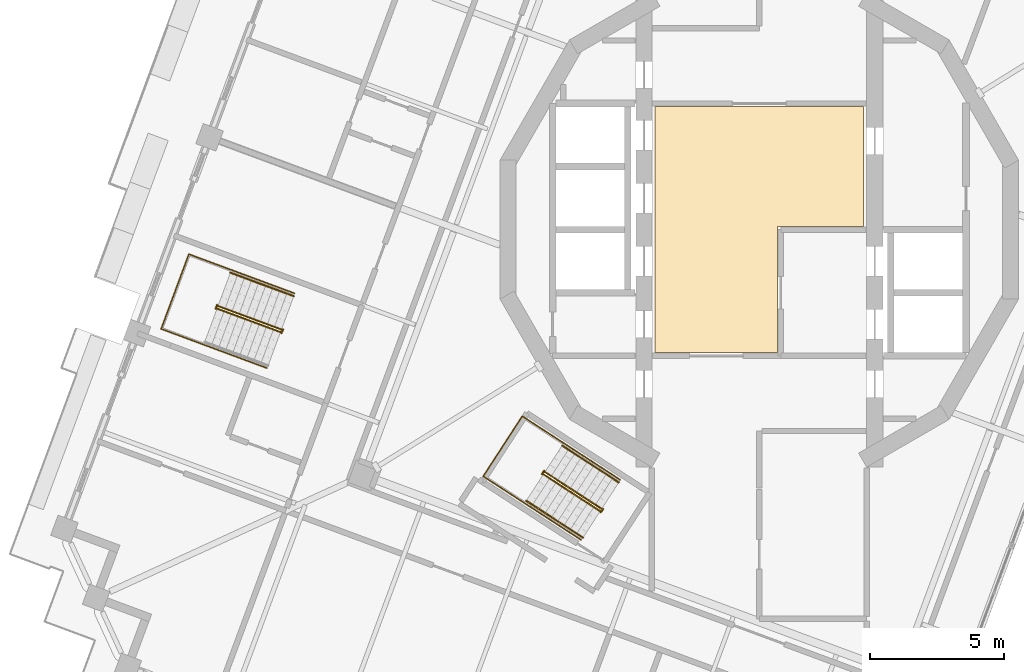
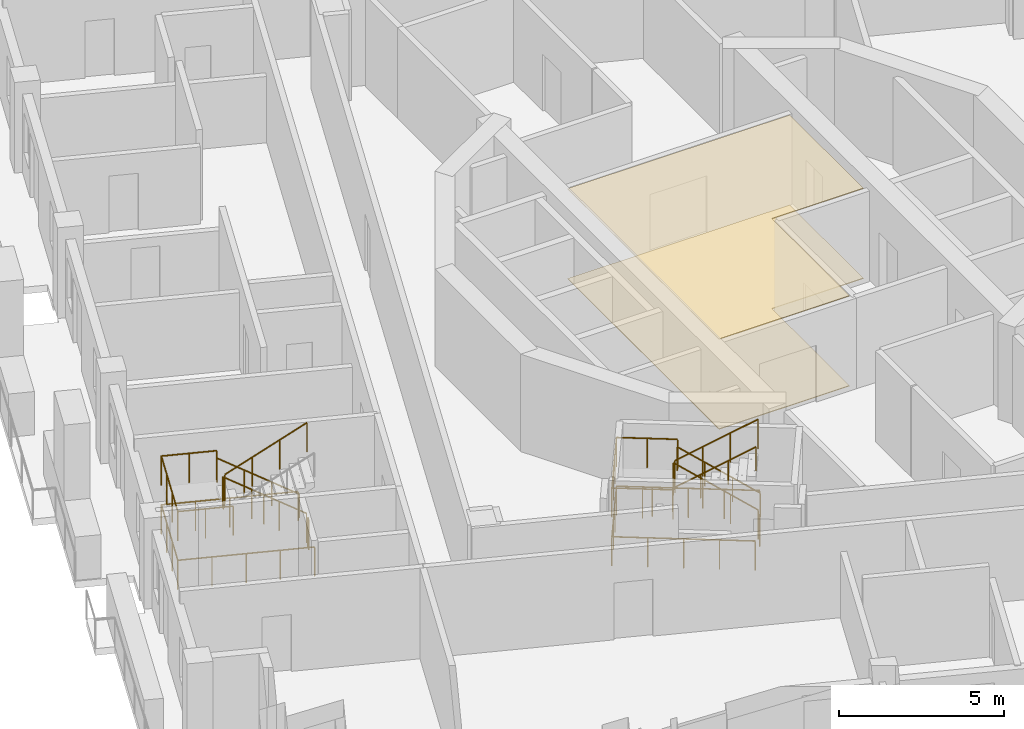
# One storey, part 14 of 19: 13 railings, 2 coverings.
"""IFC4 building model written with IfcOpenShell, lengths in metres."""

from ifc_helpers import new_model, si_unit, direction, frame, origin, origin_2d, place, context, subcontext, project, spatial, polyline, circle, outline, extrude, material, layer, layer_set, type_object, element, save


model = new_model("IFC4")

# Units and contexts
model_context = context("Model", 3, precision=1e-05, world=origin(), true_north=direction((0.0, 1.0)))
body_context = subcontext(model_context, "Body", "Model", "MODEL_VIEW")
ifc_project = project(units=[si_unit("LENGTHUNIT", "METRE"), si_unit("AREAUNIT", "SQUARE_METRE"), si_unit("VOLUMEUNIT", "CUBIC_METRE"), si_unit("PLANEANGLEUNIT", "RADIAN"), si_unit("MASSUNIT", "GRAM", prefix="KILO")], contexts=[model_context])

# Site, building, storey
site_placement = place(None, origin())
site = spatial("IfcSite", under=ifc_project, at=site_placement, CompositionType="ELEMENT")
building_placement = place(site_placement, origin())
building = spatial("IfcBuilding", under=site, at=building_placement, Name="Cantera Rosa Tower", CompositionType="ELEMENT")
storey_placement = place(building_placement, frame((0.0, 0.0, 334.89990234375)))
storey = spatial("IfcBuildingStorey", under=building, at=storey_placement, Name="L75", CompositionType="ELEMENT", Elevation=334.89990234375)

# Railings
ifc_material_1 = material(Name="Steel S355J2 (EN 10025-2)", Category="steel")
railing_type_1 = type_object("IfcRailingType", Name="STAIR GUARD 1100", PredefinedType="GUARDRAIL", material=ifc_material_1)
railing_1_placement = place(storey_placement, frame((-17.802490234375, -3.721923828125, 0.18017578125)))
element("IfcRailing", 1, at=railing_1_placement, inside=storey, type_object=railing_type_1, Name="L75 ST-63 stair guard 1", PredefinedType="GUARDRAIL", context=body_context, shape_type="SweptSolid", body=[
    extrude(circle(Radius=0.02392578125, at=origin_2d()), frame((0.0, 0.0, 1.076171875), z_axis=(-0.78878233546, 0.292319685639, 0.540713998944), x_axis=(-0.347500508527, -0.937679794265, 0.0)), (0.0, 0.0, 1.0), 2.995849609375),
    extrude(circle(Radius=0.02392578125, at=origin_2d()), frame((-2.363037109375, 0.875732421875, 2.69580078125), z_axis=(-0.671593765389, 0.740919573429, 0.0), x_axis=(-0.740919573429, -0.671593765389, 0.0)), (0.0, 0.0, 1.0), 0.056396484375),
    extrude(circle(Radius=0.02392578125, at=origin_2d()), frame((-2.40087890625, 0.91748046875, 2.69580078125), z_axis=(-0.348268249601, -0.937394914814, 0.0), x_axis=(0.937394914814, -0.348268249601, 0.0)), (0.0, 0.0, 1.0), 0.14990234375),
    extrude(circle(Radius=0.02099609375, at=origin_2d()), origin(), (0.0, 0.0, 1.0), 1.052001953125),
    extrude(circle(Radius=0.02099609375, at=origin_2d()), frame((-0.78759765625, 0.2919921875, 0.5400390625)), (0.0, 0.0, 1.0), 1.052001953125),
    extrude(circle(Radius=0.02099609375, at=origin_2d()), frame((-1.575439453125, 0.583740234375, 1.079833984375)), (0.0, 0.0, 1.0), 1.052001953125),
    extrude(circle(Radius=0.02099609375, at=origin_2d()), frame((-2.363037109375, 0.875732421875, 1.619873046875)), (0.0, 0.0, 1.0), 1.052001953125),
    extrude(circle(Radius=0.02099609375, at=origin_2d()), frame((-2.40087890625, 0.91748046875, 1.619873046875)), (0.0, 0.0, 1.0), 1.052001953125),
    extrude(circle(Radius=0.02099609375, at=origin_2d()), frame((-2.453125, 0.77685546875, 1.619873046875)), (0.0, 0.0, 1.0), 1.052001953125),
])
railing_2_placement = place(storey_placement, frame((-20.19970703125, -2.93798828125, 1.97998046875)))
element("IfcRailing", 2, at=railing_2_placement, inside=storey, type_object=railing_type_1, Name="L75 ST-63 stair guard 2", PredefinedType="GUARDRAIL", context=body_context, shape_type="SweptSolid", body=[
    extrude(circle(Radius=0.02392578125, at=origin_2d()), frame((0.0, 0.0, 1.076171875), z_axis=(0.788747577403, -0.292306804437, 0.540771662738), x_axis=(0.347500508527, 0.937679794265, 0.0)), (0.0, 0.0, 1.0), 2.995849609375),
    extrude(circle(Radius=0.02099609375, at=origin_2d()), origin(), (0.0, 0.0, 1.0), 1.052001953125),
    extrude(circle(Radius=0.02099609375, at=origin_2d()), frame((0.78759765625, -0.2919921875, 0.5400390625)), (0.0, 0.0, 1.0), 1.052001953125),
    extrude(circle(Radius=0.02099609375, at=origin_2d()), frame((1.575439453125, -0.583740234375, 1.080078125)), (0.0, 0.0, 1.0), 1.052001953125),
    extrude(circle(Radius=0.02099609375, at=origin_2d()), frame((2.363037109375, -0.875732421875, 1.6201171875)), (0.0, 0.0, 1.0), 1.052001953125),
])
railing_3_placement = place(storey_placement, frame((-17.74658203125, -3.71484375, 0.0)))
element("IfcRailing", 3, at=railing_3_placement, inside=storey, type_object=railing_type_1, Name="L75 ST-63 stair guard 3", PredefinedType="GUARDRAIL", context=body_context, shape_type="SweptSolid", body=[
    extrude(circle(Radius=0.02392578125, at=origin_2d()), frame((0.0, 0.0, 1.076171875), z_axis=(-0.348268249601, -0.937394914814, 0.0), x_axis=(0.937394914814, -0.348268249601, 0.0)), (0.0, 0.0, 1.0), 0.14990234375),
    extrude(circle(Radius=0.02099609375, at=origin_2d()), origin(), (0.0, 0.0, 1.0), 1.052001953125),
    extrude(circle(Radius=0.02099609375, at=origin_2d()), frame((-0.05224609375, -0.140625, 0.0)), (0.0, 0.0, 1.0), 1.052001953125),
])
railing_4_placement = place(storey_placement, frame((-17.31494140625, -2.37109375, 0.0)))
element("IfcRailing", 4, at=railing_4_placement, inside=storey, type_object=railing_type_1, Name="L75 ST-63 stair guard 4", PredefinedType="GUARDRAIL", context=body_context, shape_type="SweptSolid", body=[
    extrude(circle(Radius=0.02392578125, at=origin_2d()), frame((0.0, 0.0, 1.076171875), z_axis=(-0.937682096729, 0.3474942956, 0.0), x_axis=(-0.3474942956, -0.937682096729, 0.0)), (0.0, 0.0, 1.0), 4.197998046875),
    extrude(circle(Radius=0.02392578125, at=origin_2d()), frame((-3.936279296875, 1.458740234375, 1.076171875), z_axis=(-0.347472311651, -0.937690243436, 0.0), x_axis=(0.937690243436, -0.347472311651, 0.0)), (0.0, 0.0, 1.0), 2.969970703125),
    extrude(circle(Radius=0.02392578125, at=origin_2d()), frame((-4.96826171875, -1.326171875, 1.076171875), z_axis=(0.937682096729, -0.3474942956, 0.0), x_axis=(0.3474942956, 0.937682096729, 0.0)), (0.0, 0.0, 1.0), 4.197998046875),
    extrude(circle(Radius=0.02099609375, at=origin_2d()), origin(), (0.0, 0.0, 1.0), 1.052001953125),
    extrude(circle(Radius=0.02099609375, at=origin_2d()), frame((-0.984130859375, 0.36474609375, 0.0)), (0.0, 0.0, 1.0), 1.052001953125),
    extrude(circle(Radius=0.02099609375, at=origin_2d()), frame((-1.96826171875, 0.7294921875, 0.0)), (0.0, 0.0, 1.0), 1.052001953125),
    extrude(circle(Radius=0.02099609375, at=origin_2d()), frame((-2.9521484375, 1.093994140625, 0.0)), (0.0, 0.0, 1.0), 1.052001953125),
    extrude(circle(Radius=0.02099609375, at=origin_2d()), frame((-3.936279296875, 1.458740234375, 0.0)), (0.0, 0.0, 1.0), 1.052001953125),
    extrude(circle(Radius=0.02099609375, at=origin_2d()), frame((-4.2802734375, 0.530517578125, 0.0)), (0.0, 0.0, 1.0), 1.052001953125),
    extrude(circle(Radius=0.02099609375, at=origin_2d()), frame((-4.624267578125, -0.39794921875, 0.0)), (0.0, 0.0, 1.0), 1.052001953125),
    extrude(circle(Radius=0.02099609375, at=origin_2d()), frame((-4.96826171875, -1.326171875, 0.0)), (0.0, 0.0, 1.0), 1.052001953125),
    extrude(circle(Radius=0.02099609375, at=origin_2d()), frame((-3.984130859375, -1.69091796875, 0.0)), (0.0, 0.0, 1.0), 1.052001953125),
    extrude(circle(Radius=0.02099609375, at=origin_2d()), frame((-3.0, -2.0556640625, 0.0)), (0.0, 0.0, 1.0), 1.052001953125),
    extrude(circle(Radius=0.02099609375, at=origin_2d()), frame((-2.01611328125, -2.420166015625, 0.0)), (0.0, 0.0, 1.0), 1.052001953125),
    extrude(circle(Radius=0.02099609375, at=origin_2d()), frame((-1.031982421875, -2.784912109375, 0.0)), (0.0, 0.0, 1.0), 1.052001953125),
])
railing_5_placement = place(storey_placement, frame((-19.6552734375, -1.50390625, 1.800048828125)))
element("IfcRailing", 5, at=railing_5_placement, inside=storey, type_object=railing_type_1, Name="L75 ST-63 stair guard 5", PredefinedType="GUARDRAIL", context=body_context, shape_type="SweptSolid", body=[
    extrude(circle(Radius=0.02392578125, at=origin_2d()), frame((0.0, 0.0, 1.076171875), z_axis=(-0.937660486946, 0.347552602091, 0.0), x_axis=(-0.347552602091, -0.937660486946, 0.0)), (0.0, 0.0, 1.0), 1.7021484375),
    extrude(circle(Radius=0.02392578125, at=origin_2d()), frame((-1.595947265625, 0.591552734375, 1.076171875), z_axis=(-0.347472311651, -0.937690243436, 0.0), x_axis=(0.937690243436, -0.347472311651, 0.0)), (0.0, 0.0, 1.0), 2.969970703125),
    extrude(circle(Radius=0.02392578125, at=origin_2d()), frame((-2.6279296875, -2.193359375, 1.076171875), z_axis=(0.937660486946, -0.347552602091, 0.0), x_axis=(0.347552602091, 0.937660486946, 0.0)), (0.0, 0.0, 1.0), 1.7021484375),
    extrude(circle(Radius=0.02099609375, at=origin_2d()), origin(), (0.0, 0.0, 1.0), 1.052001953125),
    extrude(circle(Radius=0.02099609375, at=origin_2d()), frame((-0.7978515625, 0.2958984375, 0.0)), (0.0, 0.0, 1.0), 1.052001953125),
    extrude(circle(Radius=0.02099609375, at=origin_2d()), frame((-1.595947265625, 0.591552734375, 0.0)), (0.0, 0.0, 1.0), 1.052001953125),
    extrude(circle(Radius=0.02099609375, at=origin_2d()), frame((-1.93994140625, -0.336669921875, 0.0)), (0.0, 0.0, 1.0), 1.052001953125),
    extrude(circle(Radius=0.02099609375, at=origin_2d()), frame((-2.283935546875, -1.26513671875, 0.0)), (0.0, 0.0, 1.0), 1.052001953125),
    extrude(circle(Radius=0.02099609375, at=origin_2d()), frame((-2.6279296875, -2.193359375, 0.0)), (0.0, 0.0, 1.0), 1.052001953125),
    extrude(circle(Radius=0.02099609375, at=origin_2d()), frame((-1.830078125, -2.4892578125, 0.0)), (0.0, 0.0, 1.0), 1.052001953125),
    extrude(circle(Radius=0.02099609375, at=origin_2d()), frame((-1.031982421875, -2.784912109375, 0.0)), (0.0, 0.0, 1.0), 1.052001953125),
])
railing_6_placement = place(storey_placement, frame((-5.873291015625, -10.403076171875, 0.18017578125)))
element("IfcRailing", 6, at=railing_6_placement, inside=storey, type_object=railing_type_1, Name="L75 ST-64 stair guard 1", PredefinedType="GUARDRAIL", context=body_context, shape_type="SweptSolid", body=[
    extrude(circle(Radius=0.02392578125, at=origin_2d()), frame((0.0, 0.0, 1.076171875), z_axis=(-0.705493103535, 0.458158972863, 0.540712341684), x_axis=(-0.544644381691, -0.838667095749, 0.0)), (0.0, 0.0, 1.0), 2.995849609375),
    extrude(circle(Radius=0.02392578125, at=origin_2d()), frame((-2.113525390625, 1.37255859375, 2.69580078125), z_axis=(-0.49520304401, 0.868777270193, 0.0), x_axis=(-0.868777270193, -0.49520304401, 0.0)), (0.0, 0.0, 1.0), 0.05615234375),
    extrude(circle(Radius=0.02392578125, at=origin_2d()), frame((-2.141357421875, 1.42138671875, 2.69580078125), z_axis=(-0.544129121324, -0.839001489467, 0.0), x_axis=(0.839001489467, -0.544129121324, 0.0)), (0.0, 0.0, 1.0), 0.14990234375),
    extrude(circle(Radius=0.02099609375, at=origin_2d()), origin(), (0.0, 0.0, 1.0), 1.052001953125),
    extrude(circle(Radius=0.02099609375, at=origin_2d()), frame((-0.70458984375, 0.45751953125, 0.5400390625)), (0.0, 0.0, 1.0), 1.052001953125),
    extrude(circle(Radius=0.02099609375, at=origin_2d()), frame((-1.408935546875, 0.9150390625, 1.079833984375)), (0.0, 0.0, 1.0), 1.052001953125),
    extrude(circle(Radius=0.02099609375, at=origin_2d()), frame((-2.113525390625, 1.37255859375, 1.619873046875)), (0.0, 0.0, 1.0), 1.052001953125),
    extrude(circle(Radius=0.02099609375, at=origin_2d()), frame((-2.141357421875, 1.42138671875, 1.619873046875)), (0.0, 0.0, 1.0), 1.052001953125),
    extrude(circle(Radius=0.02099609375, at=origin_2d()), frame((-2.222900390625, 1.295654296875, 1.619873046875)), (0.0, 0.0, 1.0), 1.052001953125),
])
railing_7_placement = place(storey_placement, frame((-8.040283203125, -9.11279296875, 1.97998046875)))
element("IfcRailing", 7, at=railing_7_placement, inside=storey, type_object=railing_type_1, Name="L75 ST-64 stair guard 2", PredefinedType="GUARDRAIL", context=body_context, shape_type="SweptSolid", body=[
    extrude(circle(Radius=0.02392578125, at=origin_2d()), frame((0.0, 0.0, 1.076171875), z_axis=(0.705462015847, -0.458138784, 0.540770005448), x_axis=(0.544644381691, 0.838667095749, 0.0)), (0.0, 0.0, 1.0), 2.995849609375),
    extrude(circle(Radius=0.02099609375, at=origin_2d()), origin(), (0.0, 0.0, 1.0), 1.052001953125),
    extrude(circle(Radius=0.02099609375, at=origin_2d()), frame((0.70458984375, -0.45751953125, 0.5400390625)), (0.0, 0.0, 1.0), 1.052001953125),
    extrude(circle(Radius=0.02099609375, at=origin_2d()), frame((1.408935546875, -0.9150390625, 1.080078125)), (0.0, 0.0, 1.0), 1.052001953125),
    extrude(circle(Radius=0.02099609375, at=origin_2d()), frame((2.113525390625, -1.37255859375, 1.6201171875)), (0.0, 0.0, 1.0), 1.052001953125),
])
railing_8_placement = place(storey_placement, frame((-5.8173828125, -10.408447265625, 0.0)))
element("IfcRailing", 8, at=railing_8_placement, inside=storey, type_object=railing_type_1, Name="L75 ST-64 stair guard 3", PredefinedType="GUARDRAIL", context=body_context, shape_type="SweptSolid", body=[
    extrude(circle(Radius=0.02392578125, at=origin_2d()), frame((0.0, 0.0, 1.076171875), z_axis=(-0.543386185195, -0.839482848984, 0.0), x_axis=(0.839482848984, -0.543386185195, 0.0)), (0.0, 0.0, 1.0), 0.150146484375),
    extrude(circle(Radius=0.02099609375, at=origin_2d()), origin(), (0.0, 0.0, 1.0), 1.052001953125),
    extrude(circle(Radius=0.02099609375, at=origin_2d()), frame((-0.08154296875, -0.1259765625, 0.0)), (0.0, 0.0, 1.0), 1.052001953125),
])
railing_9_placement = place(storey_placement, frame((-5.18310546875, -9.318115234375, 0.0)))
element("IfcRailing", 9, at=railing_9_placement, inside=storey, type_object=railing_type_1, Name="L75 ST-64 stair guard 4", PredefinedType="GUARDRAIL", context=body_context, shape_type="SweptSolid", body=[
    extrude(circle(Radius=0.02392578125, at=origin_2d()), frame((0.0, 0.0, 1.076171875), z_axis=(-0.838659072691, 0.544656735746, 0.0), x_axis=(-0.544656735746, -0.838659072691, 0.0)), (0.0, 0.0, 1.0), 4.347900390625),
    extrude(circle(Radius=0.02392578125, at=origin_2d()), frame((-3.646484375, 2.3681640625, 1.076171875), z_axis=(-0.544615466587, -0.838685872991, 0.0), x_axis=(0.838685872991, -0.544615466587, 0.0)), (0.0, 0.0, 1.0), 2.669921875),
    extrude(circle(Radius=0.02392578125, at=origin_2d()), frame((-5.1005859375, 0.12890625, 1.076171875), z_axis=(0.838659072691, -0.544656735746, 0.0), x_axis=(0.544656735746, 0.838659072691, 0.0)), (0.0, 0.0, 1.0), 4.347900390625),
    extrude(circle(Radius=0.02099609375, at=origin_2d()), origin(), (0.0, 0.0, 1.0), 1.052001953125),
    extrude(circle(Radius=0.02099609375, at=origin_2d()), frame((-0.91162109375, 0.592041015625, 0.0)), (0.0, 0.0, 1.0), 1.052001953125),
    extrude(circle(Radius=0.02099609375, at=origin_2d()), frame((-1.8232421875, 1.18408203125, 0.0)), (0.0, 0.0, 1.0), 1.052001953125),
    extrude(circle(Radius=0.02099609375, at=origin_2d()), frame((-2.73486328125, 1.776123046875, 0.0)), (0.0, 0.0, 1.0), 1.052001953125),
    extrude(circle(Radius=0.02099609375, at=origin_2d()), frame((-3.646484375, 2.3681640625, 0.0)), (0.0, 0.0, 1.0), 1.052001953125),
    extrude(circle(Radius=0.02099609375, at=origin_2d()), frame((-4.131103515625, 1.621826171875, 0.0)), (0.0, 0.0, 1.0), 1.052001953125),
    extrude(circle(Radius=0.02099609375, at=origin_2d()), frame((-4.615966796875, 0.875244140625, 0.0)), (0.0, 0.0, 1.0), 1.052001953125),
    extrude(circle(Radius=0.02099609375, at=origin_2d()), frame((-5.1005859375, 0.12890625, 0.0)), (0.0, 0.0, 1.0), 1.052001953125),
    extrude(circle(Radius=0.02099609375, at=origin_2d()), frame((-4.18896484375, -0.463134765625, 0.0)), (0.0, 0.0, 1.0), 1.052001953125),
    extrude(circle(Radius=0.02099609375, at=origin_2d()), frame((-3.27734375, -1.05517578125, 0.0)), (0.0, 0.0, 1.0), 1.052001953125),
    extrude(circle(Radius=0.02099609375, at=origin_2d()), frame((-2.36572265625, -1.647216796875, 0.0)), (0.0, 0.0, 1.0), 1.052001953125),
    extrude(circle(Radius=0.02099609375, at=origin_2d()), frame((-1.4541015625, -2.2392578125, 0.0)), (0.0, 0.0, 1.0), 1.052001953125),
])
railing_10_placement = place(storey_placement, frame((-7.2763671875, -7.95849609375, 1.800048828125)))
element("IfcRailing", 10, at=railing_10_placement, inside=storey, type_object=railing_type_1, Name="L75 ST-64 stair guard 5", PredefinedType="GUARDRAIL", context=body_context, shape_type="SweptSolid", body=[
    extrude(circle(Radius=0.02392578125, at=origin_2d()), frame((0.0, 0.0, 1.076171875), z_axis=(-0.838702547883, 0.544589787064, 0.0), x_axis=(-0.544589787064, -0.838702547883, 0.0)), (0.0, 0.0, 1.0), 1.85205078125),
    extrude(circle(Radius=0.02392578125, at=origin_2d()), frame((-1.55322265625, 1.008544921875, 1.076171875), z_axis=(-0.544615466587, -0.838685872991, 0.0), x_axis=(0.838685872991, -0.544615466587, 0.0)), (0.0, 0.0, 1.0), 2.669921875),
    extrude(circle(Radius=0.02392578125, at=origin_2d()), frame((-3.00732421875, -1.230712890625, 1.076171875), z_axis=(0.838702547883, -0.544589787064, 0.0), x_axis=(0.544589787064, 0.838702547883, 0.0)), (0.0, 0.0, 1.0), 1.85205078125),
    extrude(circle(Radius=0.02099609375, at=origin_2d()), origin(), (0.0, 0.0, 1.0), 1.052001953125),
    extrude(circle(Radius=0.02099609375, at=origin_2d()), frame((-0.776611328125, 0.50439453125, 0.0)), (0.0, 0.0, 1.0), 1.052001953125),
    extrude(circle(Radius=0.02099609375, at=origin_2d()), frame((-1.55322265625, 1.008544921875, 0.0)), (0.0, 0.0, 1.0), 1.052001953125),
    extrude(circle(Radius=0.02099609375, at=origin_2d()), frame((-2.037841796875, 0.26220703125, 0.0)), (0.0, 0.0, 1.0), 1.052001953125),
    extrude(circle(Radius=0.02099609375, at=origin_2d()), frame((-2.522705078125, -0.484375, 0.0)), (0.0, 0.0, 1.0), 1.052001953125),
    extrude(circle(Radius=0.02099609375, at=origin_2d()), frame((-3.00732421875, -1.230712890625, 0.0)), (0.0, 0.0, 1.0), 1.052001953125),
    extrude(circle(Radius=0.02099609375, at=origin_2d()), frame((-2.230712890625, -1.73486328125, 0.0)), (0.0, 0.0, 1.0), 1.052001953125),
    extrude(circle(Radius=0.02099609375, at=origin_2d()), frame((-1.4541015625, -2.2392578125, 0.0)), (0.0, 0.0, 1.0), 1.052001953125),
])
ifc_material_2 = material(Name="Steel S355J2 (EN 10025-2)", Category="steel")
railing_type_2 = type_object("IfcRailingType", Name="STAIR HANDRAIL 900", PredefinedType="HANDRAIL", material=ifc_material_2)
railing_11_placement = place(storey_placement, frame((-17.341796875, -2.478515625, 0.18017578125)))
element("IfcRailing", 11, at=railing_11_placement, inside=storey, type_object=railing_type_2, Name="L75 ST-63 stair handrail 1", PredefinedType="HANDRAIL", context=body_context, shape_type="SweptSolid", body=[
    extrude(circle(Radius=0.02392578125, at=origin_2d()), frame((0.0, 0.0, 0.8759765625), z_axis=(-0.78878233546, 0.292319685639, 0.540713998944), x_axis=(-0.347500508527, -0.937679794265, 0.0)), (0.0, 0.0, 1.0), 2.995849609375),
    extrude(circle(Radius=0.02099609375, at=origin_2d()), origin(), (0.0, 0.0, 1.0), 0.851806640625),
    extrude(circle(Radius=0.02099609375, at=origin_2d()), frame((-0.78759765625, 0.2919921875, 0.5400390625)), (0.0, 0.0, 1.0), 0.851806640625),
    extrude(circle(Radius=0.02099609375, at=origin_2d()), frame((-1.575439453125, 0.583740234375, 1.079833984375)), (0.0, 0.0, 1.0), 0.851806640625),
    extrude(circle(Radius=0.02099609375, at=origin_2d()), frame((-2.363037109375, 0.875732421875, 1.619873046875)), (0.0, 0.0, 1.0), 0.851806640625),
])
railing_12_placement = place(storey_placement, frame((-5.23291015625, -9.416748046875, 0.18017578125)))
element("IfcRailing", 12, at=railing_12_placement, inside=storey, type_object=railing_type_2, Name="L75 ST-64 stair handrail 1", PredefinedType="HANDRAIL", context=body_context, shape_type="SweptSolid", body=[
    extrude(circle(Radius=0.02392578125, at=origin_2d()), frame((0.0, 0.0, 0.8759765625), z_axis=(-0.705519443793, 0.458094581675, 0.540732529695), x_axis=(-0.544576236413, -0.838711346492, 0.0)), (0.0, 0.0, 1.0), 2.99560546875),
    extrude(circle(Radius=0.02099609375, at=origin_2d()), origin(), (0.0, 0.0, 1.0), 0.851806640625),
    extrude(circle(Radius=0.02099609375, at=origin_2d()), frame((-0.70458984375, 0.45751953125, 0.5400390625)), (0.0, 0.0, 1.0), 0.851806640625),
    extrude(circle(Radius=0.02099609375, at=origin_2d()), frame((-1.408935546875, 0.914794921875, 1.079833984375)), (0.0, 0.0, 1.0), 0.851806640625),
    extrude(circle(Radius=0.02099609375, at=origin_2d()), frame((-2.113525390625, 1.372314453125, 1.619873046875)), (0.0, 0.0, 1.0), 0.851806640625),
])
railing_13_placement = place(storey_placement, frame((-8.6806640625, -10.09912109375, 1.97998046875)))
element("IfcRailing", 13, at=railing_13_placement, inside=storey, type_object=railing_type_2, Name="L75 ST-64 stair handrail 2", PredefinedType="HANDRAIL", context=body_context, shape_type="SweptSolid", body=[
    extrude(circle(Radius=0.02392578125, at=origin_2d()), frame((0.0, 0.0, 0.8759765625), z_axis=(0.705462015847, -0.458138784, 0.540770005448), x_axis=(0.544644381691, 0.838667095749, 0.0)), (0.0, 0.0, 1.0), 2.995849609375),
    extrude(circle(Radius=0.02099609375, at=origin_2d()), origin(), (0.0, 0.0, 1.0), 0.851806640625),
    extrude(circle(Radius=0.02099609375, at=origin_2d()), frame((0.70458984375, -0.45751953125, 0.5400390625)), (0.0, 0.0, 1.0), 0.851806640625),
    extrude(circle(Radius=0.02099609375, at=origin_2d()), frame((1.408935546875, -0.9150390625, 1.080078125)), (0.0, 0.0, 1.0), 0.851806640625),
    extrude(circle(Radius=0.02099609375, at=origin_2d()), frame((2.113525390625, -1.37255859375, 1.6201171875)), (0.0, 0.0, 1.0), 0.851806640625),
])

# Coverings
ifc_material_3 = material(Name="Limestone paving", Category="masonry")
ifc_layer_1 = layer(ifc_material_3, 0.02490234375)
ifc_layer_set_1 = layer_set([ifc_layer_1], Name="STONE FLOOR FINISH 25")
covering_type_1 = type_object("IfcCoveringType", Name="STONE FLOOR FINISH 25", PredefinedType="FLOORING", material=ifc_layer_set_1)
covering_1_placement = place(storey_placement, origin())
element("IfcCovering", 14, at=covering_1_placement, inside=storey, type_object=covering_type_1, Name="STONE FLOOR FINISH L75", PredefinedType="FLOORING", context=body_context, shape_type="SweptSolid", body=[
    extrude(outline(polyline([(3.8798828125, 4.580078125), (3.8798828125, 0.1201171875), (0.679931640625, 0.1201171875), (0.679931640625, -4.580078125), (-3.8798828125, -4.580078125), (-3.8798828125, 4.580078125), (3.8798828125, 4.580078125)])), origin(), (0.0, 0.0, 1.0), 0.025146484375),
])
ifc_material_4 = material(Name="Gypsum ceiling tile")
ifc_layer_2 = layer(ifc_material_4, 0.030029296875)
ifc_layer_set_2 = layer_set([ifc_layer_2], Name="SUSPENDED CEILING 30")
covering_type_2 = type_object("IfcCoveringType", Name="SUSPENDED CEILING 30", PredefinedType="CEILING", material=ifc_layer_set_2)
covering_2_placement = place(storey_placement, frame((0.0, 0.0, 3.320068359375)))
element("IfcCovering", 15, at=covering_2_placement, inside=storey, type_object=covering_type_2, Name="SUSPENDED CEILING L75", PredefinedType="CEILING", context=body_context, shape_type="SweptSolid", body=[
    extrude(outline(polyline([(3.8798828125, 4.580078125), (3.8798828125, 0.1201171875), (0.679931640625, 0.1201171875), (0.679931640625, -4.580078125), (-3.8798828125, -4.580078125), (-3.8798828125, 4.580078125), (3.8798828125, 4.580078125)])), origin(), (0.0, 0.0, 1.0), 0.030029296875),
])

save(model, "model.ifc")
